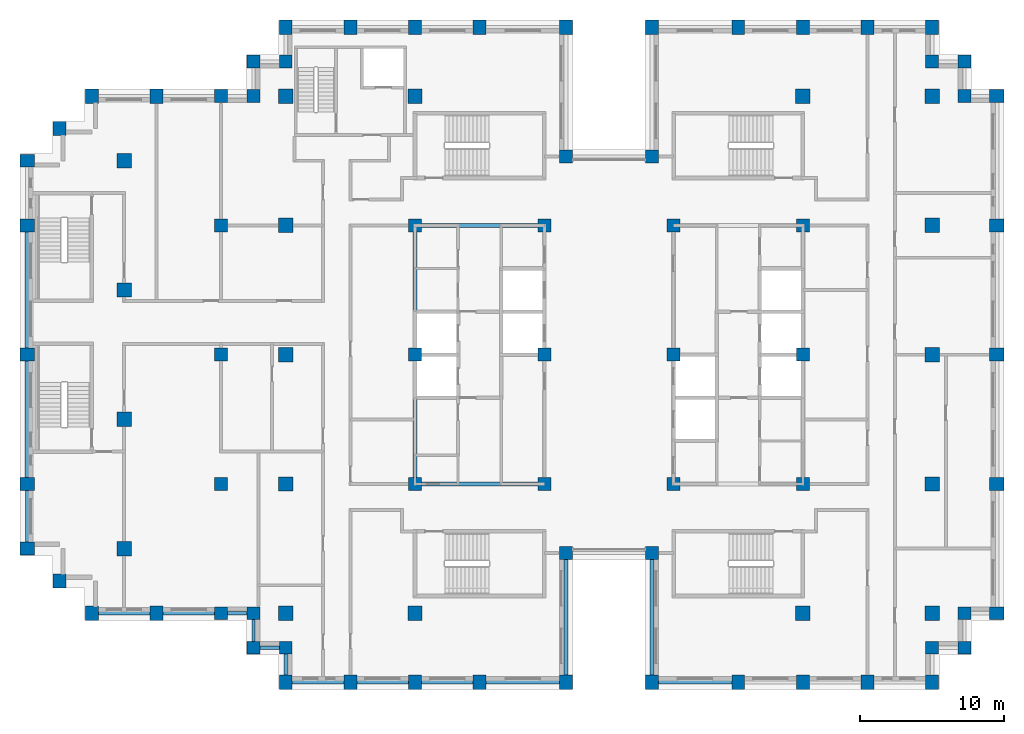
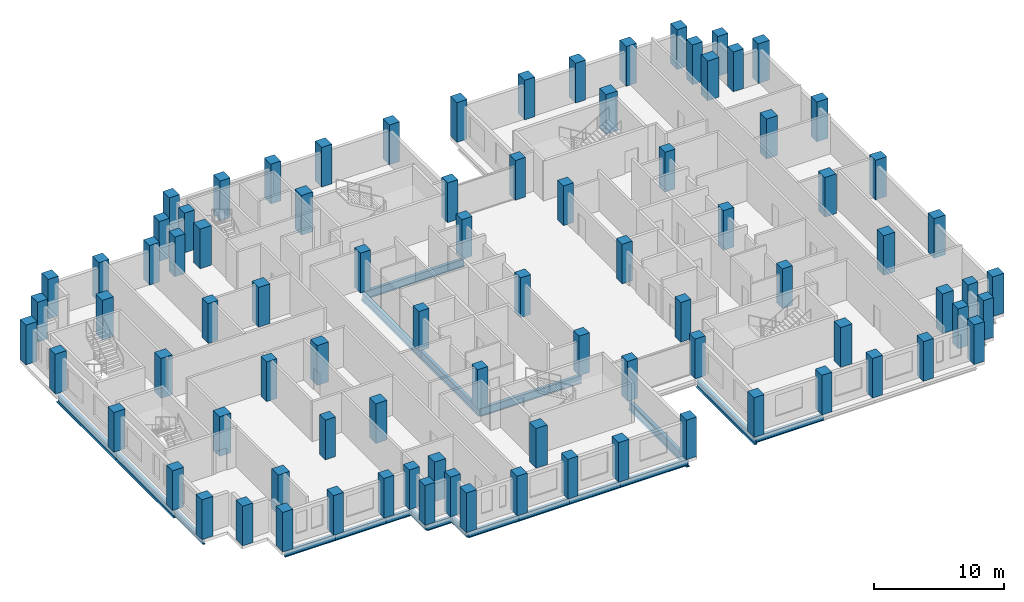
# One storey, part 1 of 15: 87 columns, 20 beams.
"""IFC4 building model written with IfcOpenShell, lengths in metres."""

from ifc_helpers import new_model, si_unit, direction, frame, origin, origin_2d, place, context, subcontext, project, spatial, rectangle, i_section, extrude, material, material_profile, profile_set, type_object, element, save


model = new_model("IFC4")

# Units and contexts
model_context = context("Model", 3, precision=1e-05, world=origin(), true_north=direction((0.0, 1.0)))
body_context = subcontext(model_context, "Body", "Model", "MODEL_VIEW")
ifc_project = project(units=[si_unit("LENGTHUNIT", "METRE"), si_unit("AREAUNIT", "SQUARE_METRE"), si_unit("VOLUMEUNIT", "CUBIC_METRE"), si_unit("PLANEANGLEUNIT", "RADIAN"), si_unit("MASSUNIT", "GRAM", prefix="KILO")], contexts=[model_context])

# Site, building, storey
site_placement = place(None, origin())
site = spatial("IfcSite", under=ifc_project, at=site_placement, CompositionType="ELEMENT")
building_placement = place(site_placement, origin())
building = spatial("IfcBuilding", under=site, at=building_placement, Name="Corbelhall Arena Tower", CompositionType="ELEMENT")
storey_placement = place(building_placement, frame((0.0, 0.0, 192.0)))
storey = spatial("IfcBuildingStorey", under=building, at=storey_placement, Name="L39", CompositionType="ELEMENT", Elevation=192.0)

# Columns
ifc_material_1 = material(Name="Concrete C80/95", Category="concrete")
ifc_material_profile_1 = material_profile(ifc_material_1, rectangle(XDim=1.0, YDim=1.0, at=origin_2d()))
ifc_profile_set_1 = profile_set([ifc_material_profile_1], Name="Concrete C80/95")
column_type_1 = type_object("IfcColumnType", Name="ST-COL-RC 1000x1000", PredefinedType="COLUMN", material=ifc_profile_set_1)
for number, where, z_axis, x_axis, name in (
    (1, (-33.75, 4.5, 0.0), (0.0, 0.0, 1.0), (1.0, 0.0, 0.0), "Column FIC+0450"),
    (2, (-33.75, 13.5, 0.0), (0.0, 0.0, 1.0), (1.0, 0.0, 0.0), "Column FIC+1350"),
    (3, (-33.75, -4.5, 0.0), (0.0, 0.0, 1.0), (1.0, 0.0, 0.0), "Column FIC-0450"),
    (4, (-33.75, -13.5, 0.0), (0.0, 0.0, 1.0), (1.0, 0.0, 0.0), "Column FIC-1350"),
    (5, (13.5, 18.0, 0.0), (0.0, 0.0, 1.0), (1.0, 0.0, 0.0), "Column IE13+1800"),
    (6, (13.5, -18.0, 0.0), (0.0, 0.0, 1.0), (1.0, 0.0, 0.0), "Column IE13-1800"),
    (7, (22.5, 0.0, 0.0), (0.0, 0.0, 1.0), (1.0, 0.0, 0.0), "Column IE22+0000"),
    (8, (22.5, 9.0, 0.0), (0.0, 0.0, 1.0), (1.0, 0.0, 0.0), "Column IE22+0900"),
    (9, (22.5, 18.0, 0.0), (0.0, 0.0, 1.0), (1.0, 0.0, 0.0), "Column IE22+1800"),
    (10, (22.5, -9.0, 0.0), (0.0, 0.0, 1.0), (1.0, 0.0, 0.0), "Column IE22-0900"),
    (11, (22.5, -18.0, 0.0), (0.0, 0.0, 1.0), (1.0, 0.0, 0.0), "Column IE22-1800"),
    (12, (-13.5, 18.0, 0.0), (0.0, 0.0, 1.0), (1.0, 0.0, 0.0), "Column IW13+1800"),
    (13, (-13.5, -18.0, 0.0), (0.0, 0.0, 1.0), (1.0, 0.0, 0.0), "Column IW13-1800"),
    (14, (-22.5, 0.0, 0.0), (0.0, 0.0, 1.0), (1.0, 0.0, 0.0), "Column IW22+0000"),
    (15, (-22.5, 9.0, 0.0), (0.0, 0.0, 1.0), (1.0, 0.0, 0.0), "Column IW22+0900"),
    (16, (-22.5, 18.0, 0.0), (0.0, 0.0, 1.0), (1.0, 0.0, 0.0), "Column IW22+1800"),
    (17, (-22.5, -9.0, 0.0), (0.0, 0.0, 1.0), (1.0, 0.0, 0.0), "Column IW22-0900"),
    (18, (-22.5, -18.0, 0.0), (0.0, 0.0, 1.0), (1.0, 0.0, 0.0), "Column IW22-1800"),
):
    element("IfcColumn", number, at=place(storey_placement, frame(where, z_axis=z_axis, x_axis=x_axis)), inside=storey, type_object=column_type_1, Name=name, PredefinedType="COLUMN", context=body_context, shape_type="SweptSolid", body=[
        extrude(rectangle(XDim=1.0, YDim=1.0, at=origin_2d()), origin(), (0.0, 0.0, 1.0), 3.719970703125),
    ])
ifc_material_profile_2 = material_profile(ifc_material_1, rectangle(XDim=0.89990234375, YDim=1.0, at=origin_2d()))
ifc_profile_set_2 = profile_set([ifc_material_profile_2], Name="Concrete C80/95")
column_type_2 = type_object("IfcColumnType", Name="ST-COL-RC 900x1000", PredefinedType="COLUMN", material=ifc_profile_set_2)
for number, where, z_axis, x_axis, name in (
    (19, (-40.5, 0.0, 0.0), (0.0, 0.0, 1.0), (0.0, 1.0, 0.0), "Column FC+0000"),
    (20, (-40.5, 9.0, 0.0), (0.0, 0.0, 1.0), (0.0, 1.0, 0.0), "Column FC+0900"),
    (21, (-40.5, 13.5, 0.0), (0.0, 0.0, 1.0), (0.0, 1.0, 0.0), "Column FC+1350"),
    (22, (-40.5, -9.0, 0.0), (0.0, 0.0, 1.0), (0.0, 1.0, 0.0), "Column FC-0900"),
    (23, (-40.5, -13.5, 0.0), (0.0, 0.0, 1.0), (0.0, 1.0, 0.0), "Column FC-1350"),
    (24, (-38.25, 15.75, 0.0), (0.0, 0.0, 1.0), (1.0, 0.0, 0.0), "Column FCCN"),
    (25, (-38.25, -15.75, 0.0), (0.0, 0.0, 1.0), (1.0, 0.0, 0.0), "Column FCCS"),
    (26, (-31.5, 18.0, 0.0), (0.0, 0.0, 1.0), (1.0, 0.0, 0.0), "Column FCN3150"),
    (27, (-36.0, 18.0, 0.0), (0.0, 0.0, 1.0), (1.0, 0.0, 0.0), "Column FCN3600"),
    (28, (-31.5, -18.0, 0.0), (0.0, 0.0, 1.0), (1.0, 0.0, 0.0), "Column FCS3150"),
    (29, (-36.0, -18.0, 0.0), (0.0, 0.0, 1.0), (1.0, 0.0, 0.0), "Column FCS3600"),
    (30, (27.0, 0.0, 0.0), (0.0, 0.0, 1.0), (0.0, 1.0, 0.0), "Column PE+0000"),
    (31, (27.0, 9.0, 0.0), (0.0, 0.0, 1.0), (0.0, 1.0, 0.0), "Column PE+0900"),
    (32, (27.0, 18.0, 0.0), (0.0, 0.0, 1.0), (0.0, 1.0, 0.0), "Column PE+1800"),
    (33, (27.0, -9.0, 0.0), (0.0, 0.0, 1.0), (0.0, 1.0, 0.0), "Column PE-0900"),
    (34, (27.0, -18.0, 0.0), (0.0, 0.0, 1.0), (0.0, 1.0, 0.0), "Column PE-1800"),
    (35, (3.0, 22.800048828125, 0.0), (0.0, 0.0, 1.0), (1.0, 0.0, 0.0), "Column PNE0300"),
    (36, (9.0, 22.800048828125, 0.0), (0.0, 0.0, 1.0), (1.0, 0.0, 0.0), "Column PNE0900"),
    (37, (13.5, 22.800048828125, 0.0), (0.0, 0.0, 1.0), (1.0, 0.0, 0.0), "Column PNE1350"),
    (38, (18.0, 22.800048828125, 0.0), (0.0, 0.0, 1.0), (1.0, 0.0, 0.0), "Column PNE1800"),
    (39, (22.5, 22.800048828125, 0.0), (0.0, 0.0, 1.0), (1.0, 0.0, 0.0), "Column PNE2250"),
    (40, (-3.0, 22.800048828125, 0.0), (0.0, 0.0, 1.0), (1.0, 0.0, 0.0), "Column PNW0300"),
    (41, (-9.0, 22.800048828125, 0.0), (0.0, 0.0, 1.0), (1.0, 0.0, 0.0), "Column PNW0900"),
    (42, (-13.5, 22.800048828125, 0.0), (0.0, 0.0, 1.0), (1.0, 0.0, 0.0), "Column PNW1350"),
    (43, (-18.0, 22.800048828125, 0.0), (0.0, 0.0, 1.0), (1.0, 0.0, 0.0), "Column PNW1800"),
    (44, (-22.5, 22.800048828125, 0.0), (0.0, 0.0, 1.0), (1.0, 0.0, 0.0), "Column PNW2250"),
    (45, (3.0, -22.800048828125, 0.0), (0.0, 0.0, 1.0), (1.0, 0.0, 0.0), "Column PSE0300"),
    (46, (9.0, -22.800048828125, 0.0), (0.0, 0.0, 1.0), (1.0, 0.0, 0.0), "Column PSE0900"),
    (47, (13.5, -22.800048828125, 0.0), (0.0, 0.0, 1.0), (1.0, 0.0, 0.0), "Column PSE1350"),
    (48, (18.0, -22.800048828125, 0.0), (0.0, 0.0, 1.0), (1.0, 0.0, 0.0), "Column PSE1800"),
    (49, (22.5, -22.800048828125, 0.0), (0.0, 0.0, 1.0), (1.0, 0.0, 0.0), "Column PSE2250"),
    (50, (-3.0, -22.800048828125, 0.0), (0.0, 0.0, 1.0), (1.0, 0.0, 0.0), "Column PSW0300"),
    (51, (-9.0, -22.800048828125, 0.0), (0.0, 0.0, 1.0), (1.0, 0.0, 0.0), "Column PSW0900"),
    (52, (-13.5, -22.800048828125, 0.0), (0.0, 0.0, 1.0), (1.0, 0.0, 0.0), "Column PSW1350"),
    (53, (-18.0, -22.800048828125, 0.0), (0.0, 0.0, 1.0), (1.0, 0.0, 0.0), "Column PSW1800"),
    (54, (-22.5, -22.800048828125, 0.0), (0.0, 0.0, 1.0), (1.0, 0.0, 0.0), "Column PSW2250"),
):
    element("IfcColumn", number, at=place(storey_placement, frame(where, z_axis=z_axis, x_axis=x_axis)), inside=storey, type_object=column_type_2, Name=name, PredefinedType="COLUMN", context=body_context, shape_type="SweptSolid", body=[
        extrude(rectangle(XDim=0.89990234375, YDim=1.0, at=origin_2d()), origin(), (0.0, 0.0, 1.0), 3.719970703125),
    ])
ifc_material_profile_3 = material_profile(ifc_material_1, rectangle(XDim=0.89990234375, YDim=0.89990234375, at=origin_2d()))
ifc_profile_set_3 = profile_set([ifc_material_profile_3], Name="Concrete C80/95")
column_type_3 = type_object("IfcColumnType", Name="ST-COL-RC 900x900", PredefinedType="COLUMN", material=ifc_profile_set_3)
for number, where, z_axis, x_axis, name in (
    (55, (4.5, 0.0, 0.0), (0.0, 0.0, 1.0), (1.0, 0.0, 0.0), "Column KE+0450+0000"),
    (56, (4.5, 9.0, 0.0), (0.0, 0.0, 1.0), (1.0, 0.0, 0.0), "Column KE+0450+0900"),
    (57, (4.5, -9.0, 0.0), (0.0, 0.0, 1.0), (1.0, 0.0, 0.0), "Column KE+0450-0900"),
    (58, (13.5, 0.0, 0.0), (0.0, 0.0, 1.0), (1.0, 0.0, 0.0), "Column KE+1350+0000"),
    (59, (13.5, 9.0, 0.0), (0.0, 0.0, 1.0), (1.0, 0.0, 0.0), "Column KE+1350+0900"),
    (60, (13.5, -9.0, 0.0), (0.0, 0.0, 1.0), (1.0, 0.0, 0.0), "Column KE+1350-0900"),
    (61, (-4.5, 0.0, 0.0), (0.0, 0.0, 1.0), (1.0, 0.0, 0.0), "Column KW-0450+0000"),
    (62, (-4.5, 9.0, 0.0), (0.0, 0.0, 1.0), (1.0, 0.0, 0.0), "Column KW-0450+0900"),
    (63, (-4.5, -9.0, 0.0), (0.0, 0.0, 1.0), (1.0, 0.0, 0.0), "Column KW-0450-0900"),
    (64, (-13.5, 0.0, 0.0), (0.0, 0.0, 1.0), (1.0, 0.0, 0.0), "Column KW-1350+0000"),
    (65, (-13.5, 9.0, 0.0), (0.0, 0.0, 1.0), (1.0, 0.0, 0.0), "Column KW-1350+0900"),
    (66, (-13.5, -9.0, 0.0), (0.0, 0.0, 1.0), (1.0, 0.0, 0.0), "Column KW-1350-0900"),
    (67, (-27.0, 0.0, 0.0), (0.0, 0.0, 1.0), (1.0, 0.0, 0.0), "Column PW+0000"),
    (68, (-27.0, 9.0, 0.0), (0.0, 0.0, 1.0), (1.0, 0.0, 0.0), "Column PW+0900"),
    (69, (-27.0, 18.0, 0.0), (0.0, 0.0, 1.0), (1.0, 0.0, 0.0), "Column PW+1800"),
    (70, (-27.0, -9.0, 0.0), (0.0, 0.0, 1.0), (1.0, 0.0, 0.0), "Column PW-0900"),
    (71, (-27.0, -18.0, 0.0), (0.0, 0.0, 1.0), (1.0, 0.0, 0.0), "Column PW-1800"),
    (72, (3.0, 13.800048828125, 0.0), (0.0, 0.0, 1.0), (1.0, 0.0, 0.0), "Column SLNE2"),
    (73, (-3.0, 13.800048828125, 0.0), (0.0, 0.0, 1.0), (1.0, 0.0, 0.0), "Column SLNW2"),
    (74, (3.0, -13.800048828125, 0.0), (0.0, 0.0, 1.0), (1.0, 0.0, 0.0), "Column SLSE2"),
    (75, (-3.0, -13.800048828125, 0.0), (0.0, 0.0, 1.0), (1.0, 0.0, 0.0), "Column SLSW2"),
    (76, (22.5, 20.39990234375, 0.0), (0.0, 0.0, 1.0), (1.0, 0.0, 0.0), "Column XNE1"),
    (77, (24.75, 20.39990234375, 0.0), (0.0, 0.0, 1.0), (1.0, 0.0, 0.0), "Column XNE2"),
    (78, (24.75, 18.0, 0.0), (0.0, 0.0, 1.0), (1.0, 0.0, 0.0), "Column XNE3"),
    (79, (-22.5, 20.39990234375, 0.0), (0.0, 0.0, 1.0), (1.0, 0.0, 0.0), "Column XNW1"),
    (80, (-24.75, 20.39990234375, 0.0), (0.0, 0.0, 1.0), (1.0, 0.0, 0.0), "Column XNW2"),
    (81, (-24.75, 18.0, 0.0), (0.0, 0.0, 1.0), (1.0, 0.0, 0.0), "Column XNW3"),
    (82, (22.5, -20.39990234375, 0.0), (0.0, 0.0, 1.0), (1.0, 0.0, 0.0), "Column XSE1"),
    (83, (24.75, -20.39990234375, 0.0), (0.0, 0.0, 1.0), (1.0, 0.0, 0.0), "Column XSE2"),
    (84, (24.75, -18.0, 0.0), (0.0, 0.0, 1.0), (1.0, 0.0, 0.0), "Column XSE3"),
    (85, (-22.5, -20.39990234375, 0.0), (0.0, 0.0, 1.0), (1.0, 0.0, 0.0), "Column XSW1"),
    (86, (-24.75, -20.39990234375, 0.0), (0.0, 0.0, 1.0), (1.0, 0.0, 0.0), "Column XSW2"),
    (87, (-24.75, -18.0, 0.0), (0.0, 0.0, 1.0), (1.0, 0.0, 0.0), "Column XSW3"),
):
    element("IfcColumn", number, at=place(storey_placement, frame(where, z_axis=z_axis, x_axis=x_axis)), inside=storey, type_object=column_type_3, Name=name, PredefinedType="COLUMN", context=body_context, shape_type="SweptSolid", body=[
        extrude(rectangle(XDim=0.89990234375, YDim=0.89990234375, at=origin_2d()), origin(), (0.0, 0.0, 1.0), 3.719970703125),
    ])

# Beams
ifc_material_2 = material(Name="Steel ASTM A992 Gr50", Category="steel")
ifc_material_profile_4 = material_profile(ifc_material_2, i_section(OverallWidth=0.2666015625, OverallDepth=0.761962890625, WebThickness=0.014404296875, FlangeThickness=0.021484375, at=origin_2d()))
ifc_profile_set_4 = profile_set([ifc_material_profile_4], Name="Steel ASTM A992 Gr50")
beam_type_1 = type_object("IfcBeamType", Name="ST-BEAM-W30x116", PredefinedType="BEAM", material=ifc_profile_set_4)
for number, where, z_axis, x_axis, name in (
    (88, (-13.5, -9.0, -0.660888671875), (0.0, 1.0, 0.0), (-1.0, 0.0, 0.0), "Beam CEW 1"),
    (89, (-13.5, 0.0, -0.660888671875), (0.0, 1.0, 0.0), (-1.0, 0.0, 0.0), "Beam CEW 2"),
    (90, (-13.5, -9.0, -0.660888671875), (1.0, 0.0, 0.0), (0.0, 1.0, 0.0), "Beam CEW 5"),
    (91, (-13.5, 9.0, -0.660888671875), (1.0, 0.0, 0.0), (0.0, 1.0, 0.0), "Beam CEW 6"),
):
    element("IfcBeam", number, at=place(storey_placement, frame(where, z_axis=z_axis, x_axis=x_axis)), inside=storey, type_object=beam_type_1, Name=name, PredefinedType="BEAM", context=body_context, shape_type="SweptSolid", body=[
        extrude(i_section(OverallWidth=0.2666015625, OverallDepth=0.761962890625, WebThickness=0.014404296875, FlangeThickness=0.021484375, at=origin_2d()), origin(), (0.0, 0.0, 1.0), 9.0),
    ])
ifc_material_profile_5 = material_profile(ifc_material_2, i_section(OverallWidth=0.228271484375, OverallDepth=0.607177734375, WebThickness=0.01123046875, FlangeThickness=0.017333984375, at=origin_2d()))
ifc_profile_set_5 = profile_set([ifc_material_profile_5], Name="Steel ASTM A992 Gr50")
beam_type_2 = type_object("IfcBeamType", Name="ST-SPANDREL-W24x76", PredefinedType="SPANDREL", material=ifc_profile_set_5)
for number, where, z_axis, x_axis, name in (
    (92, (-40.5, -13.5, -0.58349609375), (0.0, 1.0, 0.0), (-1.0, 0.0, 0.0), "Beam SP 4"),
    (93, (-31.5, -18.0, -0.58349609375), (-1.0, 0.0, 0.0), (0.0, -1.0, 0.0), "Beam SP 7"),
):
    element("IfcBeam", number, at=place(storey_placement, frame(where, z_axis=z_axis, x_axis=x_axis)), inside=storey, type_object=beam_type_2, Name=name, PredefinedType="SPANDREL", context=body_context, shape_type="SweptSolid", body=[
        extrude(i_section(OverallWidth=0.228271484375, OverallDepth=0.607177734375, WebThickness=0.01123046875, FlangeThickness=0.017333984375, at=origin_2d()), origin(), (0.0, 0.0, 1.0), 4.5),
    ])
for number, where, z_axis, x_axis, name in (
    (94, (9.0, -22.800048828125, -0.58349609375), (-1.0, 0.0, 0.0), (0.0, -1.0, 0.0), "Beam SP 24"),
    (95, (-3.0, -22.800048828125, -0.58349609375), (-1.0, 0.0, 0.0), (0.0, -1.0, 0.0), "Beam SP 28"),
):
    element("IfcBeam", number, at=place(storey_placement, frame(where, z_axis=z_axis, x_axis=x_axis)), inside=storey, type_object=beam_type_2, Name=name, PredefinedType="SPANDREL", context=body_context, shape_type="SweptSolid", body=[
        extrude(i_section(OverallWidth=0.228271484375, OverallDepth=0.607177734375, WebThickness=0.01123046875, FlangeThickness=0.017333984375, at=origin_2d()), origin(), (0.0, 0.0, 1.0), 6.0),
    ])
for number, where, z_axis, x_axis, name in (
    (96, (-9.0, -22.800048828125, -0.58349609375), (-1.0, 0.0, 0.0), (0.0, -1.0, 0.0), "Beam SP 29"),
    (97, (-13.5, -22.800048828125, -0.58349609375), (-1.0, 0.0, 0.0), (0.0, -1.0, 0.0), "Beam SP 30"),
    (98, (-18.0, -22.800048828125, -0.58349609375), (-1.0, 0.0, 0.0), (0.0, -1.0, 0.0), "Beam SP 31"),
):
    element("IfcBeam", number, at=place(storey_placement, frame(where, z_axis=z_axis, x_axis=x_axis)), inside=storey, type_object=beam_type_2, Name=name, PredefinedType="SPANDREL", context=body_context, shape_type="SweptSolid", body=[
        extrude(i_section(OverallWidth=0.228271484375, OverallDepth=0.607177734375, WebThickness=0.01123046875, FlangeThickness=0.017333984375, at=origin_2d()), origin(), (0.0, 0.0, 1.0), 4.5),
    ])
beam_1_placement = place(storey_placement, frame((-22.5, -22.800048828125, -0.58349609375), z_axis=(0.0, 1.0, 0.0), x_axis=(-1.0, 0.0, 0.0)))
element("IfcBeam", 99, at=beam_1_placement, inside=storey, type_object=beam_type_2, Name="Beam SP 32", PredefinedType="SPANDREL", context=body_context, shape_type="SweptSolid", body=[
    extrude(i_section(OverallWidth=0.228271484375, OverallDepth=0.607177734375, WebThickness=0.01123046875, FlangeThickness=0.017333984375, at=origin_2d()), origin(), (0.0, 0.0, 1.0), 2.400146484375),
])
beam_2_placement = place(storey_placement, frame((-27.0, -18.0, -0.58349609375), z_axis=(-1.0, 0.0, 0.0), x_axis=(0.0, -1.0, 0.0)))
element("IfcBeam", 100, at=beam_2_placement, inside=storey, type_object=beam_type_2, Name="Beam SP 34", PredefinedType="SPANDREL", context=body_context, shape_type="SweptSolid", body=[
    extrude(i_section(OverallWidth=0.228271484375, OverallDepth=0.607177734375, WebThickness=0.01123046875, FlangeThickness=0.017333984375, at=origin_2d()), origin(), (0.0, 0.0, 1.0), 4.5),
])
beam_3_placement = place(storey_placement, frame((-22.5, -20.39990234375, -0.58349609375), z_axis=(-1.0, 0.0, 0.0), x_axis=(0.0, -1.0, 0.0)))
element("IfcBeam", 101, at=beam_3_placement, inside=storey, type_object=beam_type_2, Name="Beam SP 48", PredefinedType="SPANDREL", context=body_context, shape_type="SweptSolid", body=[
    extrude(i_section(OverallWidth=0.228271484375, OverallDepth=0.607177734375, WebThickness=0.01123046875, FlangeThickness=0.017333984375, at=origin_2d()), origin(), (0.0, 0.0, 1.0), 2.25),
])
beam_4_placement = place(storey_placement, frame((-24.75, -20.39990234375, -0.58349609375), z_axis=(0.0, 1.0, 0.0), x_axis=(-1.0, 0.0, 0.0)))
element("IfcBeam", 102, at=beam_4_placement, inside=storey, type_object=beam_type_2, Name="Beam SP 49", PredefinedType="SPANDREL", context=body_context, shape_type="SweptSolid", body=[
    extrude(i_section(OverallWidth=0.228271484375, OverallDepth=0.607177734375, WebThickness=0.01123046875, FlangeThickness=0.017333984375, at=origin_2d()), origin(), (0.0, 0.0, 1.0), 2.39990234375),
])
beam_5_placement = place(storey_placement, frame((-24.75, -18.0, -0.58349609375), z_axis=(-1.0, 0.0, 0.0), x_axis=(0.0, -1.0, 0.0)))
element("IfcBeam", 103, at=beam_5_placement, inside=storey, type_object=beam_type_2, Name="Beam SP 50", PredefinedType="SPANDREL", context=body_context, shape_type="SweptSolid", body=[
    extrude(i_section(OverallWidth=0.228271484375, OverallDepth=0.607177734375, WebThickness=0.01123046875, FlangeThickness=0.017333984375, at=origin_2d()), origin(), (0.0, 0.0, 1.0), 2.25),
])
ifc_material_profile_6 = material_profile(ifc_material_2, i_section(OverallWidth=0.2919921875, OverallDepth=0.845703125, WebThickness=0.015380859375, FlangeThickness=0.0244140625, at=origin_2d()))
ifc_profile_set_6 = profile_set([ifc_material_profile_6], Name="Steel ASTM A992 Gr50")
beam_type_3 = type_object("IfcBeamType", Name="ST-SPANDREL-W33x141", PredefinedType="SPANDREL", material=ifc_profile_set_6)
for number, where, z_axis, x_axis, name in (
    (104, (-40.5, 0.0, -0.702880859375), (0.0, 1.0, 0.0), (-1.0, 0.0, 0.0), "Beam SP 1"),
    (105, (-40.5, -9.0, -0.702880859375), (0.0, 1.0, 0.0), (-1.0, 0.0, 0.0), "Beam SP 3"),
    (106, (3.0, -22.800048828125, -0.702880859375), (0.0, 1.0, 0.0), (-1.0, 0.0, 0.0), "Beam SP 23"),
    (107, (-3.0, -13.800048828125, -0.702880859375), (0.0, -1.0, 0.0), (1.0, 0.0, 0.0), "Beam SP 38"),
):
    element("IfcBeam", number, at=place(storey_placement, frame(where, z_axis=z_axis, x_axis=x_axis)), inside=storey, type_object=beam_type_3, Name=name, PredefinedType="SPANDREL", context=body_context, shape_type="SweptSolid", body=[
        extrude(i_section(OverallWidth=0.2919921875, OverallDepth=0.845703125, WebThickness=0.015380859375, FlangeThickness=0.0244140625, at=origin_2d()), origin(), (0.0, 0.0, 1.0), 9.0),
    ])

save(model, "model.ifc")
